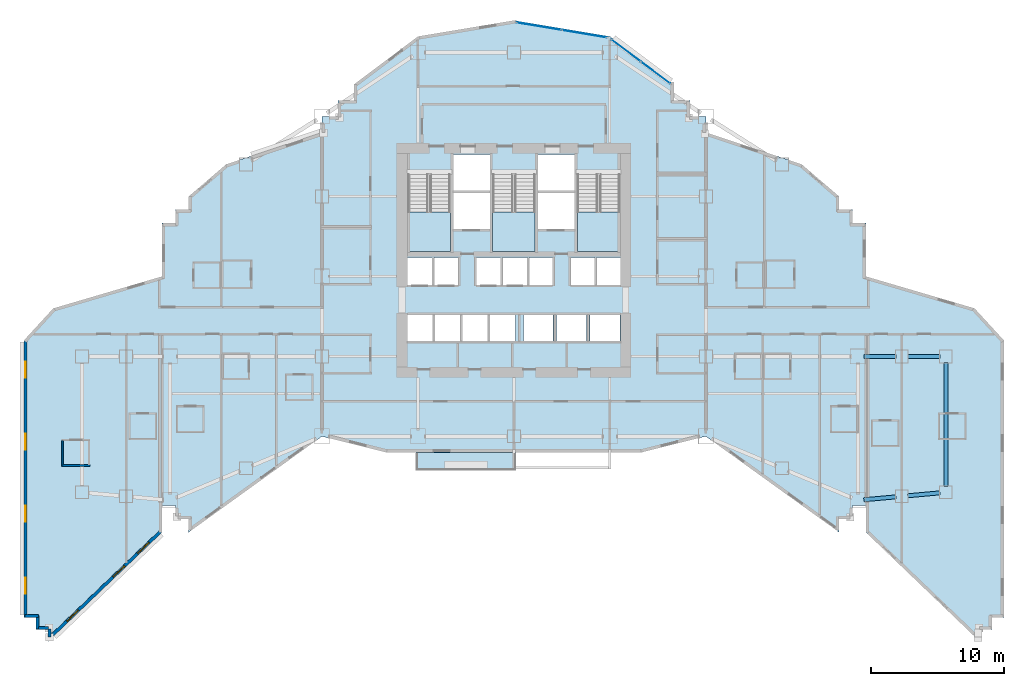
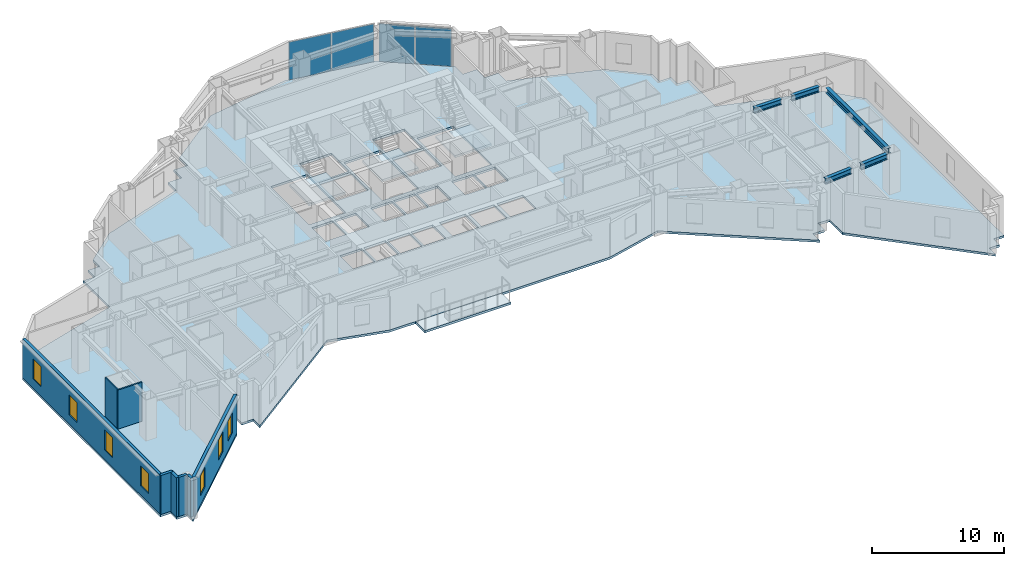
# One storey, part 5 of 17: 8 walls, 7 windows, 5 beams, 5 slabs, 4 plates, 7 openings, 5 elements without a shape of their own.
"""IFC4 building model written with IfcOpenShell, lengths in metres."""

from ifc_helpers import new_model, si_unit, direction, frame, frame_2d, origin, origin_2d, place, context, subcontext, project, spatial, polyline, rectangle, i_section, outline, extrude, material, layer, layer_set, material_profile, profile_set, type_object, element, fill, aggregate, save


model = new_model("IFC4")

# Units and contexts
model_context = context("Model", 3, precision=1e-05, world=origin(), true_north=direction((0.0, 1.0)))
body_context = subcontext(model_context, "Body", "Model", "MODEL_VIEW")
ifc_project = project(units=[si_unit("LENGTHUNIT", "METRE"), si_unit("AREAUNIT", "SQUARE_METRE"), si_unit("VOLUMEUNIT", "CUBIC_METRE"), si_unit("PLANEANGLEUNIT", "RADIAN"), si_unit("MASSUNIT", "GRAM", prefix="KILO")], contexts=[model_context])

# Site, building, storey
site_placement = place(None, origin())
site = spatial("IfcSite", under=ifc_project, at=site_placement, CompositionType="ELEMENT")
building_placement = place(site_placement, origin())
building = spatial("IfcBuilding", under=site, at=building_placement, Name="Haolan Belvedere Tower", CompositionType="ELEMENT")
storey_placement = place(building_placement, frame((0.0, 0.0, 55.199951171875)))
storey = spatial("IfcBuildingStorey", under=building, at=storey_placement, Name="L13", CompositionType="ELEMENT", Elevation=55.199951171875)

# Beams
ifc_material_1 = material(Name="Steel Q355B", Category="steel")
ifc_material_profile = material_profile(ifc_material_1, i_section(OverallWidth=0.300048828125, OverallDepth=0.488037109375, WebThickness=0.010986328125, FlangeThickness=0.01806640625, FilletRadius=0.02587890625, at=origin_2d()), Name="Steel Q355B")
ifc_profile_set = profile_set([ifc_material_profile], Name="Steel Q355B")
beam_type = type_object("IfcBeamType", Name="BM-HM488x300x11x18", PredefinedType="SPANDREL", material=ifc_profile_set)
beam_placement = place(storey_placement, frame((70.800048828125, 17.85009765625, 3.35595703125), z_axis=(0.0, 1.0, 0.0), x_axis=(-1.0, 0.0, 0.0)))
element("IfcBeam", 1, at=beam_placement, inside=storey, type_object=beam_type, Name="L13 spandrel girder MC-T5-SE-MC-T5-NE", PredefinedType="SPANDREL", context=body_context, shape_type="SweptSolid", body=[
    extrude(i_section(OverallWidth=0.300048828125, OverallDepth=0.488037109375, WebThickness=0.010986328125, FlangeThickness=0.01806640625, FilletRadius=0.02587890625, at=origin_2d()), origin(), (0.0, 0.0, 1.0), 9.2998046875),
])
for number, where, z_axis, x_axis, name in (
    (2, (64.648193359375, 16.8408203125, 3.35595703125), (0.995893206468, 0.090535746043, 0.0), (-0.090535746043, 0.995893206468, 0.0), "L13 spandrel girder MC-T4-SE-TC-T5-M1"),
    (3, (67.9482421875, 17.140625, 3.35595703125), (0.995884080761, 0.090636072764, 0.0), (-0.090636072764, 0.995884080761, 0.0), "L13 spandrel girder TC-T5-M1-MC-T5-SE"),
):
    element("IfcBeam", number, at=place(storey_placement, frame(where, z_axis=z_axis, x_axis=x_axis)), inside=storey, type_object=beam_type, Name=name, PredefinedType="SPANDREL", context=body_context, shape_type="SweptSolid", body=[
        extrude(i_section(OverallWidth=0.300048828125, OverallDepth=0.488037109375, WebThickness=0.010986328125, FlangeThickness=0.01806640625, FilletRadius=0.02587890625, at=origin_2d()), origin(), (0.0, 0.0, 1.0), 2.41357421875),
    ])
for number, where, z_axis, x_axis, name in (
    (4, (64.64990234375, 27.60009765625, 3.35595703125), (1.0, 0.0, 0.0), (0.0, 1.0, 0.0), "L13 spandrel girder MC-T4-ME-TC-T5-M2"),
    (5, (67.949951171875, 27.60009765625, 3.35595703125), (1.0, 0.0, 0.0), (0.0, 1.0, 0.0), "L13 spandrel girder TC-T5-M2-MC-T5-NE"),
):
    element("IfcBeam", number, at=place(storey_placement, frame(where, z_axis=z_axis, x_axis=x_axis)), inside=storey, type_object=beam_type, Name=name, PredefinedType="SPANDREL", context=body_context, shape_type="SweptSolid", body=[
        extrude(i_section(OverallWidth=0.300048828125, OverallDepth=0.488037109375, WebThickness=0.010986328125, FlangeThickness=0.01806640625, FilletRadius=0.02587890625, at=origin_2d()), origin(), (0.0, 0.0, 1.0), 2.400146484375),
    ])

# Curtain wall, plates
ifc_material_2 = material(Name="Anodised champagne-silver aluminium 6063-T6 and Low-E glass", Category="aluminium")
ifc_layer_1 = layer(ifc_material_2, 0.1650390625, Name="Anodised champagne-silver aluminium 6063-T6 and Low-E glass")
ifc_layer_set_1 = layer_set([ifc_layer_1], Name="Anodised champagne-silver aluminium 6063-T6 and Low-E glass")
curtain_wall_type = type_object("IfcCurtainWallType", Name="CW-SYS-02", PredefinedType="NOTDEFINED", material=ifc_layer_set_1)
curtain_wall_1_placement = place(storey_placement, origin())
curtain_wall_1 = element("IfcCurtainWall", 6, at=curtain_wall_1_placement, inside=storey, type_object=curtain_wall_type, Name="L13 CW-SYS-02 ribbon curtain wall 41.1", PredefinedType="NOTDEFINED")
ifc_material_3 = material(Name="Double silver Low-E laminated insulating glass", Category="glass")
ifc_layer_2 = layer(ifc_material_3, 0.02587890625, Name="Double silver Low-E laminated insulating glass")
ifc_layer_set_2 = layer_set([ifc_layer_2], Name="Double silver Low-E laminated insulating glass")
plate_type = type_object("IfcPlateType", Name="CW-SYS-02-PNL", PredefinedType="CURTAIN_PANEL", material=ifc_layer_set_2)
plate_1_placement = place(storey_placement, frame((49.02978515625, 48.877685546875, 0.05517578125), z_axis=(0.0, 0.0, 1.0), x_axis=(-0.800004262313, 0.599994316874, 0.0)))
plate_1 = element("IfcPlate", 7, at=plate_1_placement, type_object=plate_type, Name="CW-02 panel 1.1", PredefinedType="CURTAIN_PANEL", context=body_context, shape_type="SweptSolid", body=[
    extrude(rectangle(XDim=2.725341796875, YDim=0.02587890625, at=origin_2d()), origin(), (0.0, 0.0, 1.0), 3.489990234375),
])
plate_2_placement = place(storey_placement, frame((46.801513671875, 50.548828125, 0.05517578125), z_axis=(0.0, 0.0, 1.0), x_axis=(-0.800004262313, 0.599994316874, 0.0)))
plate_2 = element("IfcPlate", 8, at=plate_2_placement, type_object=plate_type, Name="CW-02 panel 2.1", PredefinedType="CURTAIN_PANEL", context=body_context, shape_type="SweptSolid", body=[
    extrude(rectangle(XDim=2.725341796875, YDim=0.02587890625, at=origin_2d()), origin(), (0.0, 0.0, 1.0), 3.489990234375),
])
aggregate(curtain_wall_1, [plate_1, plate_2])

curtain_wall_2_placement = place(storey_placement, origin())
curtain_wall_2 = element("IfcCurtainWall", 9, at=curtain_wall_2_placement, inside=storey, type_object=curtain_wall_type, Name="L13 CW-SYS-02 ribbon curtain wall 42.1", PredefinedType="NOTDEFINED")
plate_3_placement = place(storey_placement, frame((43.6796875, 51.79833984375, 0.05517578125), z_axis=(0.0, 0.0, 1.0), x_axis=(-0.9863931483, 0.16440364043, 0.0)))
plate_3 = element("IfcPlate", 10, at=plate_3_placement, type_object=plate_type, Name="CW-02 panel 1.1", PredefinedType="CURTAIN_PANEL", context=body_context, shape_type="SweptSolid", body=[
    extrude(rectangle(XDim=3.39501953125, YDim=0.02587890625, at=origin_2d()), origin(), (0.0, 0.0, 1.0), 3.489990234375),
])
plate_4_placement = place(storey_placement, frame((40.271728515625, 52.366455078125, 0.05517578125), z_axis=(0.0, 0.0, 1.0), x_axis=(-0.9863931483, 0.16440364043, 0.0)))
plate_4 = element("IfcPlate", 11, at=plate_4_placement, type_object=plate_type, Name="CW-02 panel 2.1", PredefinedType="CURTAIN_PANEL", context=body_context, shape_type="SweptSolid", body=[
    extrude(rectangle(XDim=3.39501953125, YDim=0.02587890625, at=origin_2d()), origin(), (0.0, 0.0, 1.0), 3.489990234375),
])
aggregate(curtain_wall_2, [plate_3, plate_4])

# Slabs
ifc_material_4 = material(Name="Concrete C40/50", Category="concrete")
ifc_layer_3 = layer(ifc_material_4, 0.2099609375, Name="Concrete C40/50")
ifc_layer_set_3 = layer_set([ifc_layer_3], Name="Concrete C40/50")
slab_type_1 = type_object("IfcSlabType", Name="SL-BAL-210", PredefinedType="FLOOR", material=ifc_layer_set_3)
slab_1_placement = place(storey_placement, frame((0.0, 0.0, -0.22998046875)))
element("IfcSlab", 12, at=slab_1_placement, inside=storey, type_object=slab_type_1, Name="L13 structural tree-planter balcony slab BAL-L13-S1", PredefinedType="FLOOR", context=body_context, shape_type="SweptSolid", body=[
    extrude(outline(polyline([(31.050048828125, 19.02001953125), (38.550048828125, 19.02001953125), (38.550048828125, 20.39990234375), (31.050048828125, 20.39990234375), (31.050048828125, 19.02001953125)])), origin(), (0.0, 0.0, 1.0), 0.2099609375),
])
ifc_layer_4 = layer(ifc_material_4, 0.199951171875, Name="Concrete C40/50")
ifc_layer_set_4 = layer_set([ifc_layer_4], Name="Concrete C40/50")
slab_type_2 = type_object("IfcSlabType", Name="SL-FLR-200", PredefinedType="FLOOR", material=ifc_layer_set_4)
slab_2_placement = place(storey_placement, frame((0.0, 0.0, -0.199951171875)))
element("IfcSlab", 13, at=slab_2_placement, inside=storey, type_object=slab_type_2, Name="L13 structural floor slab", PredefinedType="FLOOR", context=body_context, shape_type="SweptSolid", body=[
    extrude(outline(polyline([(1.639892578125, 28.800048828125), (1.639892578125, 8.597900390625), (1.639892578125, 7.998046875), (2.5400390625, 7.998046875), (2.5400390625, 7.097900390625), (3.43994140625, 7.097900390625), (3.43994140625, 6.197998046875), (12.0, 14.39990234375), (12.0, 16.39990234375), (13.0, 16.39990234375), (13.0, 15.39990234375), (14.0, 15.39990234375), (14.0, 14.39990234375), (24.0, 21.60009765625), (28.800048828125, 20.39990234375), (48.0, 20.39990234375), (52.800048828125, 21.60009765625), (62.800048828125, 14.39990234375), (62.800048828125, 15.39990234375), (63.800048828125, 15.39990234375), (63.800048828125, 16.39990234375), (64.800048828125, 16.39990234375), (64.800048828125, 14.39990234375), (73.360107421875, 6.197998046875), (73.360107421875, 7.097900390625), (74.260009765625, 7.097900390625), (74.260009765625, 7.998046875), (75.159912109375, 7.998046875), (75.159912109375, 28.800048828125), (72.9599609375, 31.199951171875), (64.800048828125, 33.60009765625), (64.800048828125, 37.60009765625), (63.800048828125, 37.60009765625), (63.800048828125, 38.60009765625), (62.800048828125, 38.60009765625), (62.800048828125, 39.60009765625), (60.0, 42.0), (52.800048828125, 44.39990234375), (52.800048828125, 45.60009765625), (51.60009765625, 45.60009765625), (51.60009765625, 46.800048828125), (50.39990234375, 46.800048828125), (50.39990234375, 48.0), (45.60009765625, 51.60009765625), (38.39990234375, 52.800048828125), (31.199951171875, 51.60009765625), (26.39990234375, 48.0), (26.39990234375, 46.800048828125), (25.199951171875, 46.800048828125), (25.199951171875, 45.60009765625), (24.0, 45.60009765625), (24.0, 44.39990234375), (16.800048828125, 42.0), (14.0, 39.60009765625), (14.0, 38.60009765625), (13.0, 38.60009765625), (13.0, 37.60009765625), (12.0, 37.60009765625), (12.0, 33.60009765625), (3.840087890625, 31.199951171875), (1.639892578125, 28.800048828125)]), holes=[polyline([(30.449951171875, 41.22998046875), (30.449951171875, 35.449951171875), (33.6298828125, 35.449951171875), (33.6298828125, 41.22998046875), (30.449951171875, 41.22998046875)]), polyline([(36.81005859375, 41.22998046875), (36.81005859375, 35.449951171875), (39.989990234375, 35.449951171875), (39.989990234375, 41.22998046875), (36.81005859375, 41.22998046875)]), polyline([(43.169921875, 41.22998046875), (43.169921875, 35.449951171875), (46.35009765625, 35.449951171875), (46.35009765625, 41.22998046875), (43.169921875, 41.22998046875)]), polyline([(33.830078125, 40.050048828125), (36.610107421875, 40.050048828125), (36.610107421875, 42.75), (33.830078125, 42.75), (33.830078125, 40.050048828125)]), polyline([(33.830078125, 37.14990234375), (36.610107421875, 37.14990234375), (36.610107421875, 39.85009765625), (33.830078125, 39.85009765625), (33.830078125, 37.14990234375)]), polyline([(40.18994140625, 40.050048828125), (42.969970703125, 40.050048828125), (42.969970703125, 42.75), (40.18994140625, 42.75), (40.18994140625, 40.050048828125)]), polyline([(40.18994140625, 37.14990234375), (42.969970703125, 37.14990234375), (42.969970703125, 39.85009765625), (40.18994140625, 39.85009765625), (40.18994140625, 37.14990234375)]), polyline([(30.419921875, 32.949951171875), (32.27001953125, 32.949951171875), (32.27001953125, 35.0), (30.419921875, 35.0), (30.419921875, 32.949951171875)]), polyline([(32.409912109375, 32.949951171875), (34.260009765625, 32.949951171875), (34.260009765625, 35.0), (32.409912109375, 35.0), (32.409912109375, 32.949951171875)]), polyline([(35.56005859375, 32.949951171875), (37.409912109375, 32.949951171875), (37.409912109375, 35.0), (35.56005859375, 35.0), (35.56005859375, 32.949951171875)]), polyline([(37.550048828125, 32.949951171875), (39.39990234375, 32.949951171875), (39.39990234375, 35.0), (37.550048828125, 35.0), (37.550048828125, 32.949951171875)]), polyline([(39.5400390625, 32.949951171875), (41.389892578125, 32.949951171875), (41.389892578125, 35.0), (39.5400390625, 35.0), (39.5400390625, 32.949951171875)]), polyline([(42.6201171875, 32.949951171875), (44.469970703125, 32.949951171875), (44.469970703125, 35.0), (42.6201171875, 35.0), (42.6201171875, 32.949951171875)]), polyline([(44.580078125, 32.949951171875), (46.3798828125, 32.949951171875), (46.3798828125, 35.0), (44.580078125, 35.0), (44.580078125, 32.949951171875)]), polyline([(30.419921875, 28.75), (32.320068359375, 28.75), (32.320068359375, 30.75), (30.419921875, 30.75), (30.419921875, 28.75)]), polyline([(32.47998046875, 28.75), (34.3798828125, 28.75), (34.3798828125, 30.75), (32.47998046875, 30.75), (32.47998046875, 28.75)]), polyline([(34.5400390625, 28.75), (36.43994140625, 28.75), (36.43994140625, 30.75), (34.5400390625, 30.75), (34.5400390625, 28.75)]), polyline([(36.60009765625, 28.75), (38.5, 28.75), (38.5, 30.75), (36.60009765625, 30.75), (36.60009765625, 28.75)]), polyline([(39.10009765625, 28.75), (41.340087890625, 28.75), (41.340087890625, 30.75), (39.10009765625, 30.75), (39.10009765625, 28.75)]), polyline([(41.610107421875, 28.75), (43.85009765625, 28.75), (43.85009765625, 30.75), (41.610107421875, 30.75), (41.610107421875, 28.75)]), polyline([(44.1201171875, 28.75), (46.360107421875, 28.75), (46.360107421875, 30.75), (44.1201171875, 30.75), (44.1201171875, 28.75)])]), origin(), (0.0, 0.0, 1.0), 0.199951171875),
])

# Stair, slab
stair_type = type_object("IfcStairType", Name="STR-DL-22R-173", PredefinedType="HALF_TURN_STAIR", material=ifc_material_4)
stair_1_placement = place(storey_placement, origin())
stair_1 = element("IfcStair", 14, at=stair_1_placement, inside=storey, type_object=stair_type, Name="L13 Smokeproof Core Exit Stair ST1", PredefinedType="HALF_TURN_STAIR")
ifc_layer_5 = layer(ifc_material_4, 0.199951171875, Name="Concrete C40/50")
ifc_layer_set_5 = layer_set([ifc_layer_5], Name="Concrete C40/50")
slab_type_3 = type_object("IfcSlabType", Name="SL-LAND-200", PredefinedType="LANDING", material=ifc_layer_set_5)
slab_3_placement = place(storey_placement, frame((0.0, 0.0, 1.699951171875)))
slab_3 = element("IfcSlab", 15, at=slab_3_placement, type_object=slab_type_3, Name="ST1 landing 1", PredefinedType="LANDING", context=body_context, shape_type="SweptSolid", body=[
    extrude(outline(polyline([(30.449951171875, 38.429931640625), (30.449951171875, 35.449951171875), (33.6298828125, 35.449951171875), (33.6298828125, 38.429931640625), (30.449951171875, 38.429931640625)])), origin(), (0.0, 0.0, 1.0), 0.2001953125),
])
aggregate(stair_1, [slab_3])

stair_2_placement = place(storey_placement, origin())
stair_2 = element("IfcStair", 16, at=stair_2_placement, inside=storey, type_object=stair_type, Name="L13 Smokeproof Core Exit Stair ST3", PredefinedType="HALF_TURN_STAIR")
slab_4_placement = place(storey_placement, frame((0.0, 0.0, 1.699951171875)))
slab_4 = element("IfcSlab", 17, at=slab_4_placement, type_object=slab_type_3, Name="ST3 landing 1", PredefinedType="LANDING", context=body_context, shape_type="SweptSolid", body=[
    extrude(outline(polyline([(36.81005859375, 38.429931640625), (36.81005859375, 35.449951171875), (39.989990234375, 35.449951171875), (39.989990234375, 38.429931640625), (36.81005859375, 38.429931640625)])), origin(), (0.0, 0.0, 1.0), 0.2001953125),
])
aggregate(stair_2, [slab_4])

stair_3_placement = place(storey_placement, origin())
stair_3 = element("IfcStair", 18, at=stair_3_placement, inside=storey, type_object=stair_type, Name="L13 Smokeproof Core Exit Stair ST2", PredefinedType="HALF_TURN_STAIR")
slab_5_placement = place(storey_placement, frame((0.0, 0.0, 1.699951171875)))
slab_5 = element("IfcSlab", 19, at=slab_5_placement, type_object=slab_type_3, Name="ST2 landing 1", PredefinedType="LANDING", context=body_context, shape_type="SweptSolid", body=[
    extrude(outline(polyline([(43.169921875, 38.429931640625), (43.169921875, 35.449951171875), (46.35009765625, 35.449951171875), (46.35009765625, 38.429931640625), (43.169921875, 38.429931640625)])), origin(), (0.0, 0.0, 1.0), 0.2001953125),
])
aggregate(stair_3, [slab_5])

# Walls
ifc_material_5 = material(Name="Precast concrete C40/50", Category="concrete")
ifc_layer_6 = layer(ifc_material_5, 0.239990234375, Name="Precast concrete C40/50")
ifc_layer_set_6 = layer_set([ifc_layer_6], Name="Precast concrete C40/50")
wall_type_1 = type_object("IfcWallType", Name="WL-EXT-240", PredefinedType="SOLIDWALL", material=ifc_layer_set_6)
for number, where, z_axis, x_axis, name in (
    (20, (1.705078125, 8.117919921875, 0.0), (0.0, 0.0, 1.0), (1.0, 0.0, 0.0), "L13 pale-metal exterior spandrel wall 1.1"),
    (21, (2.659912109375, 8.173095703125, 0.0), (0.0, 0.0, 1.0), (0.0, -1.0, 0.0), "L13 pale-metal exterior spandrel wall 2.1"),
):
    element("IfcWall", number, at=place(storey_placement, frame(where, z_axis=z_axis, x_axis=x_axis)), inside=storey, type_object=wall_type_1, Name=name, PredefinedType="SOLIDWALL", context=body_context, shape_type="SweptSolid", body=[
        extrude(rectangle(XDim=1.010009765625, YDim=0.239990234375, at=frame_2d((0.5048828125, 0.0))), origin(), (0.0, 0.0, 1.0), 3.60009765625),
    ])
wall_1_placement = place(storey_placement, frame((2.739990234375, 7.218017578125, 0.0), z_axis=(0.0, 0.0, 1.0), x_axis=(1.0, 0.0, 0.0)))
element("IfcWall", 22, at=wall_1_placement, inside=storey, type_object=wall_type_1, Name="L13 pale-metal exterior spandrel wall 3.1", PredefinedType="SOLIDWALL", context=body_context, shape_type="SweptSolid", body=[
    extrude(rectangle(XDim=0.735107421875, YDim=0.239990234375, at=frame_2d((0.36767578125, 0.0))), origin(), (0.0, 0.0, 1.0), 3.60009765625),
])
wall_2_placement = place(storey_placement, frame((3.56005859375, 7.133056640625, 0.0), z_axis=(0.0, 0.0, 1.0), x_axis=(0.0, -1.0, 0.0)))
element("IfcWall", 23, at=wall_2_placement, inside=storey, type_object=wall_type_1, Name="L13 pale-metal exterior spandrel wall 4.1", PredefinedType="SOLIDWALL", context=body_context, shape_type="SweptSolid", body=[
    extrude(rectangle(XDim=0.56884765625, YDim=0.239990234375, at=frame_2d((0.284423828125, 0.0))), origin(), (0.0, 0.0, 1.0), 3.60009765625),
])

# Wall, openings, windows
wall_3_placement = place(storey_placement, frame((3.7080078125, 6.62109375, 0.0), z_axis=(0.0, 0.0, 1.0), x_axis=(0.722047630521, 0.691843348786, 0.0)))
wall_3 = element("IfcWall", 24, at=wall_3_placement, inside=storey, type_object=wall_type_1, Name="L13 pale-metal exterior spandrel wall 5.1", PredefinedType="SOLIDWALL", context=body_context, shape_type="SweptSolid", body=[
    extrude(rectangle(XDim=11.372802734375, YDim=0.239990234375, at=frame_2d((5.6865234375, 0.0))), origin(), (0.0, 0.0, 1.0), 3.60009765625),
])
opening_1_placement = place(wall_3_placement, frame((1.60009765625, 0.0, 0.85009765625)))
opening_1 = element("IfcOpeningElement", 25, at=opening_1_placement, cuts=wall_3, Name="Opening W-01", PredefinedType="OPENING", context=body_context, shape_type="SweptSolid", body=[
    extrude(rectangle(XDim=1.199951171875, YDim=1.85009765625, at=frame_2d((0.60009765625, 0.925048828125))), frame((0.0, 0.1298828125, 0.0), z_axis=(0.0, -1.0, 0.0), x_axis=(1.0, 0.0, 0.0)), (0.0, 0.0, 1.0), 0.260009765625),
])
opening_2_placement = place(wall_3_placement, frame((6.410400390625, 0.0, 0.85009765625)))
opening_2 = element("IfcOpeningElement", 26, at=opening_2_placement, cuts=wall_3, Name="Opening W-01", PredefinedType="OPENING", context=body_context, shape_type="SweptSolid", body=[
    extrude(rectangle(XDim=1.199951171875, YDim=1.85009765625, at=frame_2d((0.60009765625, 0.925048828125))), frame((0.0, 0.1298828125, 0.0), z_axis=(0.0, -1.0, 0.0), x_axis=(1.0, 0.0, 0.0)), (0.0, 0.0, 1.0), 0.260009765625),
])
opening_3_placement = place(wall_3_placement, frame((8.940185546875, 0.0, 0.85009765625)))
opening_3 = element("IfcOpeningElement", 27, at=opening_3_placement, cuts=wall_3, Name="Opening W-01", PredefinedType="OPENING", context=body_context, shape_type="SweptSolid", body=[
    extrude(rectangle(XDim=1.199951171875, YDim=1.85009765625, at=frame_2d((0.60009765625, 0.925048828125))), frame((0.0, 0.1298828125, 0.0), z_axis=(0.0, -1.0, 0.0), x_axis=(1.0, 0.0, 0.0)), (0.0, 0.0, 1.0), 0.260009765625),
])
ifc_material_6 = material(Name="Anodised aluminium 6063-T6 and Low-E glass", Category="aluminium")
window_type = type_object("IfcWindowType", Name="WN-DECO-Z1", PartitioningType="SINGLE_PANEL", PredefinedType="WINDOW", material=ifc_material_6)
window_1_placement = place(opening_1_placement, origin())
window_1 = element("IfcWindow", 28, at=window_1_placement, inside=storey, type_object=window_type, Name="L13 Art Deco chevron window 1", OverallHeight=1.85009765625, OverallWidth=1.199951171875, PartitioningType="SINGLE_PANEL", PredefinedType="WINDOW", context=body_context, shape_type="SweptSolid", body=[
    extrude(rectangle(XDim=1.199951171875, YDim=1.85009765625, at=frame_2d((0.60009765625, 0.925048828125))), frame((0.0, 0.030029296875, 0.0), z_axis=(0.0, -1.0, 0.0), x_axis=(1.0, 0.0, 0.0)), (0.0, 0.0, 1.0), 0.06005859375),
])
fill(opening_1, window_1)
window_2_placement = place(opening_2_placement, origin())
window_2 = element("IfcWindow", 29, at=window_2_placement, inside=storey, type_object=window_type, Name="L13 Art Deco chevron window 2", OverallHeight=1.85009765625, OverallWidth=1.199951171875, PartitioningType="SINGLE_PANEL", PredefinedType="WINDOW", context=body_context, shape_type="SweptSolid", body=[
    extrude(rectangle(XDim=1.199951171875, YDim=1.85009765625, at=frame_2d((0.60009765625, 0.925048828125))), frame((0.0, 0.030029296875, 0.0), z_axis=(0.0, -1.0, 0.0), x_axis=(1.0, 0.0, 0.0)), (0.0, 0.0, 1.0), 0.06005859375),
])
fill(opening_2, window_2)
window_3_placement = place(opening_3_placement, origin())
window_3 = element("IfcWindow", 30, at=window_3_placement, inside=storey, type_object=window_type, Name="L13 Art Deco guestroom window 3", OverallHeight=1.85009765625, OverallWidth=1.199951171875, PartitioningType="SINGLE_PANEL", PredefinedType="WINDOW", context=body_context, shape_type="SweptSolid", body=[
    extrude(rectangle(XDim=1.199951171875, YDim=1.85009765625, at=frame_2d((0.60009765625, 0.925048828125))), frame((0.0, 0.030029296875, 0.0), z_axis=(0.0, -1.0, 0.0), x_axis=(1.0, 0.0, 0.0)), (0.0, 0.0, 1.0), 0.06005859375),
])
fill(opening_3, window_3)

wall_4_placement = place(storey_placement, frame((1.760009765625, 28.808349609375, 0.0), z_axis=(0.0, 0.0, 1.0), x_axis=(0.0, -1.0, 0.0)))
wall_4 = element("IfcWall", 31, at=wall_4_placement, inside=storey, type_object=wall_type_1, Name="L13 pale-metal exterior spandrel wall 59.1", PredefinedType="SOLIDWALL", context=body_context, shape_type="SweptSolid", body=[
    extrude(rectangle(XDim=20.745361328125, YDim=0.239990234375, at=frame_2d((10.37255859375, 0.0))), origin(), (0.0, 0.0, 1.0), 3.60009765625),
])
opening_4_placement = place(wall_4_placement, frame((1.60009765625, 0.0, 0.85009765625)))
opening_4 = element("IfcOpeningElement", 32, at=opening_4_placement, cuts=wall_4, Name="Opening W-01", PredefinedType="OPENING", context=body_context, shape_type="SweptSolid", body=[
    extrude(rectangle(XDim=1.199951171875, YDim=1.85009765625, at=frame_2d((0.60009765625, 0.925048828125))), frame((0.0, 0.1298828125, 0.0), z_axis=(0.0, -1.0, 0.0), x_axis=(1.0, 0.0, 0.0)), (0.0, 0.0, 1.0), 0.260009765625),
])
opening_5_placement = place(wall_4_placement, frame((7.0, 0.0, 0.85009765625)))
opening_5 = element("IfcOpeningElement", 33, at=opening_5_placement, cuts=wall_4, Name="Opening W-01", PredefinedType="OPENING", context=body_context, shape_type="SweptSolid", body=[
    extrude(rectangle(XDim=1.199951171875, YDim=1.85009765625, at=frame_2d((0.60009765625, 0.925048828125))), frame((0.0, 0.1298828125, 0.0), z_axis=(0.0, -1.0, 0.0), x_axis=(1.0, 0.0, 0.0)), (0.0, 0.0, 1.0), 0.260009765625),
])
opening_6_placement = place(wall_4_placement, frame((12.39990234375, 0.0, 0.85009765625)))
opening_6 = element("IfcOpeningElement", 34, at=opening_6_placement, cuts=wall_4, Name="Opening W-01", PredefinedType="OPENING", context=body_context, shape_type="SweptSolid", body=[
    extrude(rectangle(XDim=1.199951171875, YDim=1.85009765625, at=frame_2d((0.60009765625, 0.925048828125))), frame((0.0, 0.1298828125, 0.0), z_axis=(0.0, -1.0, 0.0), x_axis=(1.0, 0.0, 0.0)), (0.0, 0.0, 1.0), 0.260009765625),
])
opening_7_placement = place(wall_4_placement, frame((17.800048828125, 0.0, 0.85009765625)))
opening_7 = element("IfcOpeningElement", 35, at=opening_7_placement, cuts=wall_4, Name="Opening W-01", PredefinedType="OPENING", context=body_context, shape_type="SweptSolid", body=[
    extrude(rectangle(XDim=1.199951171875, YDim=1.85009765625, at=frame_2d((0.60009765625, 0.925048828125))), frame((0.0, 0.1298828125, 0.0), z_axis=(0.0, -1.0, 0.0), x_axis=(1.0, 0.0, 0.0)), (0.0, 0.0, 1.0), 0.260009765625),
])
window_4_placement = place(opening_4_placement, origin())
window_4 = element("IfcWindow", 36, at=window_4_placement, inside=storey, type_object=window_type, Name="L13 Art Deco chevron window 1", OverallHeight=1.85009765625, OverallWidth=1.199951171875, PartitioningType="SINGLE_PANEL", PredefinedType="WINDOW", context=body_context, shape_type="SweptSolid", body=[
    extrude(rectangle(XDim=1.199951171875, YDim=1.85009765625, at=frame_2d((0.60009765625, 0.925048828125))), frame((0.0, 0.030029296875, 0.0), z_axis=(0.0, -1.0, 0.0), x_axis=(1.0, 0.0, 0.0)), (0.0, 0.0, 1.0), 0.06005859375),
])
fill(opening_4, window_4)
window_5_placement = place(opening_5_placement, origin())
window_5 = element("IfcWindow", 37, at=window_5_placement, inside=storey, type_object=window_type, Name="L13 Art Deco chevron window 2", OverallHeight=1.85009765625, OverallWidth=1.199951171875, PartitioningType="SINGLE_PANEL", PredefinedType="WINDOW", context=body_context, shape_type="SweptSolid", body=[
    extrude(rectangle(XDim=1.199951171875, YDim=1.85009765625, at=frame_2d((0.60009765625, 0.925048828125))), frame((0.0, 0.030029296875, 0.0), z_axis=(0.0, -1.0, 0.0), x_axis=(1.0, 0.0, 0.0)), (0.0, 0.0, 1.0), 0.06005859375),
])
fill(opening_5, window_5)
window_6_placement = place(opening_6_placement, origin())
window_6 = element("IfcWindow", 38, at=window_6_placement, inside=storey, type_object=window_type, Name="L13 Art Deco chevron window 3", OverallHeight=1.85009765625, OverallWidth=1.199951171875, PartitioningType="SINGLE_PANEL", PredefinedType="WINDOW", context=body_context, shape_type="SweptSolid", body=[
    extrude(rectangle(XDim=1.199951171875, YDim=1.85009765625, at=frame_2d((0.60009765625, 0.925048828125))), frame((0.0, 0.030029296875, 0.0), z_axis=(0.0, -1.0, 0.0), x_axis=(1.0, 0.0, 0.0)), (0.0, 0.0, 1.0), 0.06005859375),
])
fill(opening_6, window_6)
window_7_placement = place(opening_7_placement, origin())
window_7 = element("IfcWindow", 39, at=window_7_placement, inside=storey, type_object=window_type, Name="L13 Art Deco chevron window 4", OverallHeight=1.85009765625, OverallWidth=1.199951171875, PartitioningType="SINGLE_PANEL", PredefinedType="WINDOW", context=body_context, shape_type="SweptSolid", body=[
    extrude(rectangle(XDim=1.199951171875, YDim=1.85009765625, at=frame_2d((0.60009765625, 0.925048828125))), frame((0.0, 0.030029296875, 0.0), z_axis=(0.0, -1.0, 0.0), x_axis=(1.0, 0.0, 0.0)), (0.0, 0.0, 1.0), 0.06005859375),
])
fill(opening_7, window_7)

# Walls
ifc_material_7 = material(Name="Moisture-resistant gypsum tile partition", Category="masonry")
ifc_layer_7 = layer(ifc_material_7, 0.1201171875, Name="Moisture-resistant gypsum tile partition")
ifc_layer_set_7 = layer_set([ifc_layer_7], Name="Moisture-resistant gypsum tile partition")
wall_type_2 = type_object("IfcWallType", Name="WL-WET-120", PredefinedType="PARTITIONING", material=ifc_layer_set_7)
wall_5_placement = place(storey_placement, frame((4.485107421875, 19.410888671875, 0.0), z_axis=(0.0, 0.0, 1.0), x_axis=(1.0, 0.0, 0.0)))
element("IfcWall", 40, at=wall_5_placement, inside=storey, type_object=wall_type_2, Name="L13 interior partition IW-L13-T1S1-BS", PredefinedType="PARTITIONING", context=body_context, shape_type="SweptSolid", body=[
    extrude(rectangle(XDim=2.099853515625, YDim=0.1201171875, at=frame_2d((1.0498046875, 0.0))), origin(), (0.0, 0.0, 1.0), 3.60009765625),
])
wall_6_placement = place(storey_placement, frame((4.544921875, 19.4560546875, 0.0), z_axis=(0.0, 0.0, 1.0), x_axis=(0.0, 1.0, 0.0)))
element("IfcWall", 41, at=wall_6_placement, inside=storey, type_object=wall_type_2, Name="L13 interior partition IW-L13-T1S1-BW", PredefinedType="PARTITIONING", context=body_context, shape_type="SweptSolid", body=[
    extrude(rectangle(XDim=1.829833984375, YDim=0.1201171875, at=frame_2d((0.9150390625, 0.0))), origin(), (0.0, 0.0, 1.0), 3.60009765625),
])

save(model, "model.ifc")
